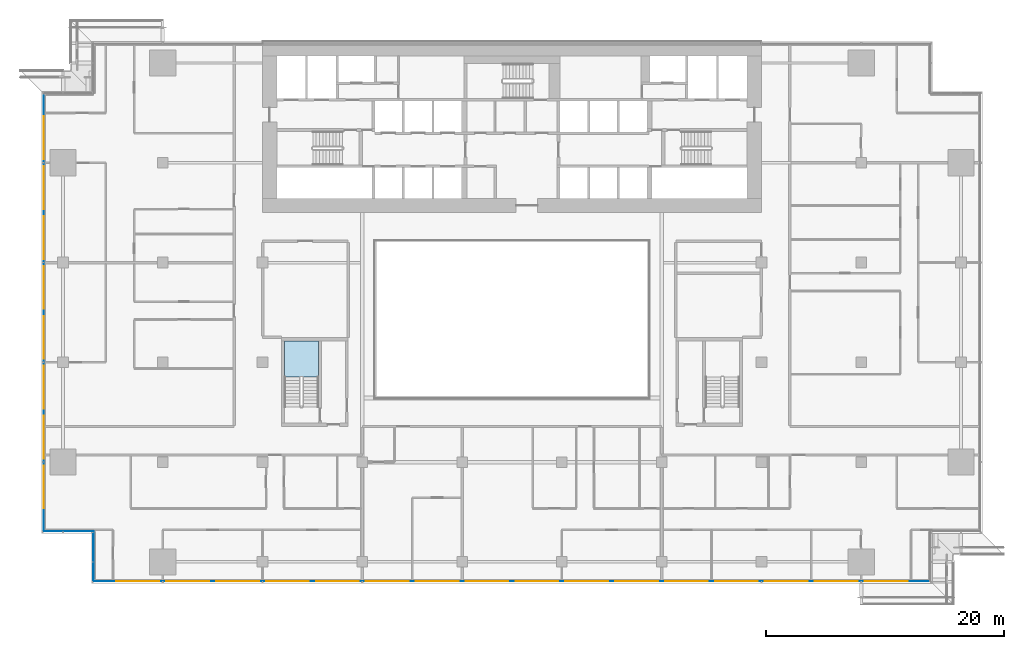
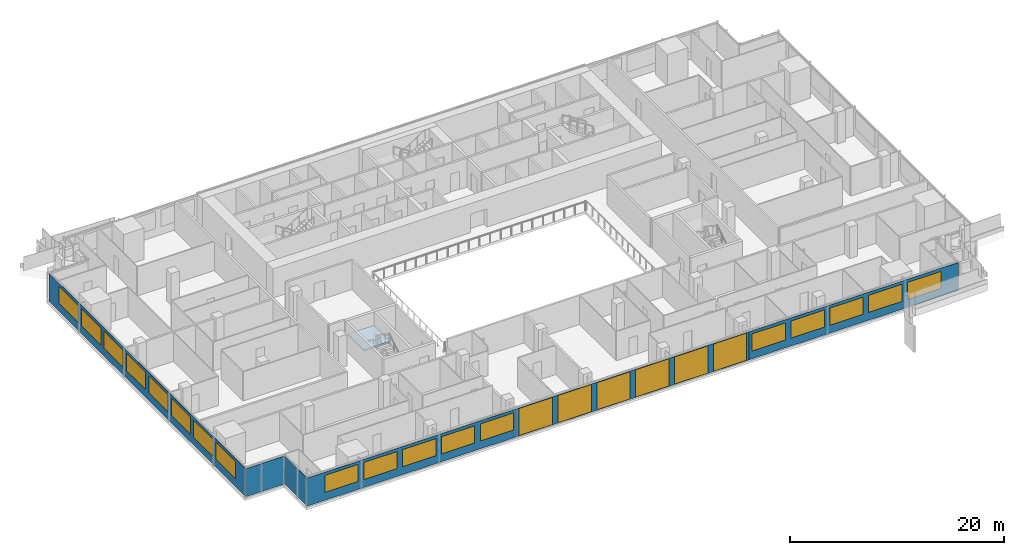
# One storey, part 16 of 30: 24 windows, 6 plates, 1 slab, 24 openings, 5 elements without a shape of their own.
"""IFC4 building model written with IfcOpenShell, lengths in metres."""

from ifc_helpers import new_model, si_unit, direction, frame, frame_2d, origin, place, context, subcontext, project, spatial, polyline, rectangle, outline, extrude, material, layer, layer_set, type_object, element, fill, aggregate, save


model = new_model("IFC4")

# Units and contexts
model_context = context("Model", 3, precision=1e-05, world=origin(), true_north=direction((0.0, 1.0)))
body_context = subcontext(model_context, "Body", "Model", "MODEL_VIEW")
ifc_project = project(units=[si_unit("LENGTHUNIT", "METRE"), si_unit("AREAUNIT", "SQUARE_METRE"), si_unit("VOLUMEUNIT", "CUBIC_METRE"), si_unit("PLANEANGLEUNIT", "RADIAN"), si_unit("MASSUNIT", "GRAM", prefix="KILO")], contexts=[model_context])

# Site, building, storey
site_placement = place(None, origin())
site = spatial("IfcSite", under=ifc_project, at=site_placement, CompositionType="ELEMENT")
building_placement = place(site_placement, origin())
building = spatial("IfcBuilding", under=site, at=building_placement, Name="Saffron Gate Tower", CompositionType="ELEMENT")
storey_placement = place(building_placement, frame((0.0, 0.0, 69.60009765625)))
storey = spatial("IfcBuildingStorey", under=building, at=storey_placement, Name="L16", CompositionType="ELEMENT", Elevation=69.60009765625)

# Curtain wall, plates, openings, windows
ifc_material_1 = material(Name="Aluminium, bronze anodised", Category="aluminium")
curtain_wall_type_1 = type_object("IfcCurtainWallType", Name="CWS1 curtain wall front facade", PredefinedType="NOTDEFINED", material=ifc_material_1)
curtain_wall_1_placement = place(storey_placement, origin())
curtain_wall_1 = element("IfcCurtainWall", 1, at=curtain_wall_1_placement, inside=storey, type_object=curtain_wall_type_1, Name="CWS1 run 1", PredefinedType="NOTDEFINED")
ifc_material_2 = material(Name="Clear low-iron laminated glass", Category="glass")
ifc_layer_1 = layer(ifc_material_2, 0.028076171875)
ifc_layer_set_1 = layer_set([ifc_layer_1], Name="CWS1 clear glass")
plate_type_1 = type_object("IfcPlateType", Name="CWS1 clear glass", PredefinedType="CURTAIN_PANEL", material=ifc_layer_set_1)
plate_1_placement = place(storey_placement, frame((75.030029296875, 30.174072265625, 0.0), z_axis=(0.0, 0.0, 1.0), x_axis=(1.0, 0.0, 0.0)))
plate_1 = element("IfcPlate", 2, at=plate_1_placement, type_object=plate_type_1, Name="CWS1 clear glass panel", PredefinedType="CURTAIN_PANEL", context=body_context, shape_type="SweptSolid", body=[
    extrude(rectangle(XDim=25.139892578125, YDim=0.028076171875, at=frame_2d((12.56982421875, 0.0))), origin(), (0.0, 0.0, 1.0), 3.199951171875),
])
opening_1_placement = place(plate_1_placement, frame((0.27001953125, 0.0, 0.050048828125)))
opening_1 = element("IfcOpeningElement", 3, at=opening_1_placement, cuts=plate_1, Name="Opening WA", PredefinedType="OPENING", context=body_context, shape_type="SweptSolid", body=[
    extrude(rectangle(XDim=3.60009765625, YDim=3.10009765625, at=frame_2d((1.800048828125, 1.550048828125))), frame((0.0, 0.02392578125, 0.0), z_axis=(0.0, -1.0, 0.0), x_axis=(1.0, 0.0, 0.0)), (0.0, 0.0, 1.0), 0.048095703125),
])
opening_2_placement = place(plate_1_placement, frame((4.469970703125, 0.0, 0.050048828125)))
opening_2 = element("IfcOpeningElement", 4, at=opening_2_placement, cuts=plate_1, Name="Opening WA", PredefinedType="OPENING", context=body_context, shape_type="SweptSolid", body=[
    extrude(rectangle(XDim=3.60009765625, YDim=3.10009765625, at=frame_2d((1.800048828125, 1.550048828125))), frame((0.0, 0.02392578125, 0.0), z_axis=(0.0, -1.0, 0.0), x_axis=(1.0, 0.0, 0.0)), (0.0, 0.0, 1.0), 0.048095703125),
])
opening_3_placement = place(plate_1_placement, frame((8.669921875, 0.0, 0.050048828125)))
opening_3 = element("IfcOpeningElement", 5, at=opening_3_placement, cuts=plate_1, Name="Opening WA", PredefinedType="OPENING", context=body_context, shape_type="SweptSolid", body=[
    extrude(rectangle(XDim=3.60009765625, YDim=3.10009765625, at=frame_2d((1.800048828125, 1.550048828125))), frame((0.0, 0.02392578125, 0.0), z_axis=(0.0, -1.0, 0.0), x_axis=(1.0, 0.0, 0.0)), (0.0, 0.0, 1.0), 0.048095703125),
])
opening_4_placement = place(plate_1_placement, frame((12.8701171875, 0.0, 0.050048828125)))
opening_4 = element("IfcOpeningElement", 6, at=opening_4_placement, cuts=plate_1, Name="Opening WA", PredefinedType="OPENING", context=body_context, shape_type="SweptSolid", body=[
    extrude(rectangle(XDim=3.60009765625, YDim=3.10009765625, at=frame_2d((1.800048828125, 1.550048828125))), frame((0.0, 0.02392578125, 0.0), z_axis=(0.0, -1.0, 0.0), x_axis=(1.0, 0.0, 0.0)), (0.0, 0.0, 1.0), 0.048095703125),
])
opening_5_placement = place(plate_1_placement, frame((17.070068359375, 0.0, 0.050048828125)))
opening_5 = element("IfcOpeningElement", 7, at=opening_5_placement, cuts=plate_1, Name="Opening WA", PredefinedType="OPENING", context=body_context, shape_type="SweptSolid", body=[
    extrude(rectangle(XDim=3.60009765625, YDim=3.10009765625, at=frame_2d((1.800048828125, 1.550048828125))), frame((0.0, 0.02392578125, 0.0), z_axis=(0.0, -1.0, 0.0), x_axis=(1.0, 0.0, 0.0)), (0.0, 0.0, 1.0), 0.048095703125),
])
opening_6_placement = place(plate_1_placement, frame((21.27001953125, 0.0, 0.050048828125)))
opening_6 = element("IfcOpeningElement", 8, at=opening_6_placement, cuts=plate_1, Name="Opening WA", PredefinedType="OPENING", context=body_context, shape_type="SweptSolid", body=[
    extrude(rectangle(XDim=3.60009765625, YDim=3.10009765625, at=frame_2d((1.800048828125, 1.550048828125))), frame((0.0, 0.02392578125, 0.0), z_axis=(0.0, -1.0, 0.0), x_axis=(1.0, 0.0, 0.0)), (0.0, 0.0, 1.0), 0.048095703125),
])
ifc_material_3 = material(Name="Clear low-iron laminated glass in bronze frame", Category="glass")
ifc_layer_2 = layer(ifc_material_3, 0.06005859375)
ifc_layer_set_2 = layer_set([ifc_layer_2], Name="WA operable atrium unit 3600x3100")
window_type_1 = type_object("IfcWindowType", Name="WA operable atrium unit 3600x3100", PartitioningType="DOUBLE_PANEL_HORIZONTAL", PredefinedType="WINDOW", material=ifc_layer_set_2)
window_1_placement = place(opening_1_placement, origin())
window_1 = element("IfcWindow", 9, at=window_1_placement, type_object=window_type_1, Name="WA operable atrium unit", OverallHeight=3.10009765625, OverallWidth=3.60009765625, PartitioningType="SINGLE_PANEL", PredefinedType="WINDOW", context=body_context, shape_type="SweptSolid", body=[
    extrude(rectangle(XDim=3.60009765625, YDim=3.10009765625, at=frame_2d((1.800048828125, 1.550048828125))), frame((0.0, 0.013671875, 0.0), z_axis=(0.0, -1.0, 0.0), x_axis=(1.0, 0.0, 0.0)), (0.0, 0.0, 1.0), 0.027587890625),
])
fill(opening_1, window_1)
window_2_placement = place(opening_2_placement, origin())
window_2 = element("IfcWindow", 10, at=window_2_placement, type_object=window_type_1, Name="WA operable atrium unit", OverallHeight=3.10009765625, OverallWidth=3.60009765625, PartitioningType="SINGLE_PANEL", PredefinedType="WINDOW", context=body_context, shape_type="SweptSolid", body=[
    extrude(rectangle(XDim=3.60009765625, YDim=3.10009765625, at=frame_2d((1.800048828125, 1.550048828125))), frame((0.0, 0.013671875, 0.0), z_axis=(0.0, -1.0, 0.0), x_axis=(1.0, 0.0, 0.0)), (0.0, 0.0, 1.0), 0.027587890625),
])
fill(opening_2, window_2)
window_3_placement = place(opening_3_placement, origin())
window_3 = element("IfcWindow", 11, at=window_3_placement, type_object=window_type_1, Name="WA operable atrium unit", OverallHeight=3.10009765625, OverallWidth=3.60009765625, PartitioningType="SINGLE_PANEL", PredefinedType="WINDOW", context=body_context, shape_type="SweptSolid", body=[
    extrude(rectangle(XDim=3.60009765625, YDim=3.10009765625, at=frame_2d((1.800048828125, 1.550048828125))), frame((0.0, 0.013671875, 0.0), z_axis=(0.0, -1.0, 0.0), x_axis=(1.0, 0.0, 0.0)), (0.0, 0.0, 1.0), 0.027587890625),
])
fill(opening_3, window_3)
window_4_placement = place(opening_4_placement, origin())
window_4 = element("IfcWindow", 12, at=window_4_placement, type_object=window_type_1, Name="WA operable atrium unit", OverallHeight=3.10009765625, OverallWidth=3.60009765625, PartitioningType="SINGLE_PANEL", PredefinedType="WINDOW", context=body_context, shape_type="SweptSolid", body=[
    extrude(rectangle(XDim=3.60009765625, YDim=3.10009765625, at=frame_2d((1.800048828125, 1.550048828125))), frame((0.0, 0.013671875, 0.0), z_axis=(0.0, -1.0, 0.0), x_axis=(1.0, 0.0, 0.0)), (0.0, 0.0, 1.0), 0.027587890625),
])
fill(opening_4, window_4)
window_5_placement = place(opening_5_placement, origin())
window_5 = element("IfcWindow", 13, at=window_5_placement, type_object=window_type_1, Name="WA operable atrium unit", OverallHeight=3.10009765625, OverallWidth=3.60009765625, PartitioningType="SINGLE_PANEL", PredefinedType="WINDOW", context=body_context, shape_type="SweptSolid", body=[
    extrude(rectangle(XDim=3.60009765625, YDim=3.10009765625, at=frame_2d((1.800048828125, 1.550048828125))), frame((0.0, 0.013671875, 0.0), z_axis=(0.0, -1.0, 0.0), x_axis=(1.0, 0.0, 0.0)), (0.0, 0.0, 1.0), 0.027587890625),
])
fill(opening_5, window_5)
window_6_placement = place(opening_6_placement, origin())
window_6 = element("IfcWindow", 14, at=window_6_placement, type_object=window_type_1, Name="WA operable atrium unit", OverallHeight=3.10009765625, OverallWidth=3.60009765625, PartitioningType="SINGLE_PANEL", PredefinedType="WINDOW", context=body_context, shape_type="SweptSolid", body=[
    extrude(rectangle(XDim=3.60009765625, YDim=3.10009765625, at=frame_2d((1.800048828125, 1.550048828125))), frame((0.0, 0.013671875, 0.0), z_axis=(0.0, -1.0, 0.0), x_axis=(1.0, 0.0, 0.0)), (0.0, 0.0, 1.0), 0.027587890625),
])
fill(opening_6, window_6)
ifc_material_4 = material(Name="Fritted bronze-tinted laminated glass", Category="glass")
ifc_layer_3 = layer(ifc_material_4, 0.028076171875)
ifc_layer_set_3 = layer_set([ifc_layer_3], Name="CWS1 fixed glass")
plate_type_2 = type_object("IfcPlateType", Name="CWS1 fixed glass", PredefinedType="CURTAIN_PANEL", material=ifc_layer_set_3)
plate_2_placement = place(storey_placement, frame((52.387939453125, 30.174072265625, 0.0), z_axis=(0.0, 0.0, 1.0), x_axis=(1.0, 0.0, 0.0)))
plate_2 = element("IfcPlate", 15, at=plate_2_placement, type_object=plate_type_2, Name="CWS1 glass panel", PredefinedType="CURTAIN_PANEL", context=body_context, shape_type="SweptSolid", body=[
    extrude(rectangle(XDim=22.64208984375, YDim=0.028076171875, at=frame_2d((11.321044921875, 0.0))), origin(), (0.0, 0.0, 1.0), 3.199951171875),
])
opening_7_placement = place(plate_2_placement, frame((1.912109375, 0.0, 0.89990234375)))
opening_7 = element("IfcOpeningElement", 16, at=opening_7_placement, cuts=plate_2, Name="Opening W1", PredefinedType="OPENING", context=body_context, shape_type="SweptSolid", body=[
    extrude(rectangle(XDim=3.60009765625, YDim=1.949951171875, at=frame_2d((1.800048828125, 0.97509765625))), frame((0.0, 0.02392578125, 0.0), z_axis=(0.0, -1.0, 0.0), x_axis=(1.0, 0.0, 0.0)), (0.0, 0.0, 1.0), 0.048095703125),
])
opening_8_placement = place(plate_2_placement, frame((6.112060546875, 0.0, 0.89990234375)))
opening_8 = element("IfcOpeningElement", 17, at=opening_8_placement, cuts=plate_2, Name="Opening W1", PredefinedType="OPENING", context=body_context, shape_type="SweptSolid", body=[
    extrude(rectangle(XDim=3.60009765625, YDim=1.949951171875, at=frame_2d((1.800048828125, 0.97509765625))), frame((0.0, 0.02392578125, 0.0), z_axis=(0.0, -1.0, 0.0), x_axis=(1.0, 0.0, 0.0)), (0.0, 0.0, 1.0), 0.048095703125),
])
opening_9_placement = place(plate_2_placement, frame((10.31201171875, 0.0, 0.89990234375)))
opening_9 = element("IfcOpeningElement", 18, at=opening_9_placement, cuts=plate_2, Name="Opening W1", PredefinedType="OPENING", context=body_context, shape_type="SweptSolid", body=[
    extrude(rectangle(XDim=3.60009765625, YDim=1.949951171875, at=frame_2d((1.800048828125, 0.97509765625))), frame((0.0, 0.02392578125, 0.0), z_axis=(0.0, -1.0, 0.0), x_axis=(1.0, 0.0, 0.0)), (0.0, 0.0, 1.0), 0.048095703125),
])
opening_10_placement = place(plate_2_placement, frame((14.511962890625, 0.0, 0.89990234375)))
opening_10 = element("IfcOpeningElement", 19, at=opening_10_placement, cuts=plate_2, Name="Opening W1", PredefinedType="OPENING", context=body_context, shape_type="SweptSolid", body=[
    extrude(rectangle(XDim=3.60009765625, YDim=1.949951171875, at=frame_2d((1.800048828125, 0.97509765625))), frame((0.0, 0.02392578125, 0.0), z_axis=(0.0, -1.0, 0.0), x_axis=(1.0, 0.0, 0.0)), (0.0, 0.0, 1.0), 0.048095703125),
])
opening_11_placement = place(plate_2_placement, frame((18.7119140625, 0.0, 0.89990234375)))
opening_11 = element("IfcOpeningElement", 20, at=opening_11_placement, cuts=plate_2, Name="Opening W1", PredefinedType="OPENING", context=body_context, shape_type="SweptSolid", body=[
    extrude(rectangle(XDim=3.60009765625, YDim=1.949951171875, at=frame_2d((1.800048828125, 0.97509765625))), frame((0.0, 0.02392578125, 0.0), z_axis=(0.0, -1.0, 0.0), x_axis=(1.0, 0.0, 0.0)), (0.0, 0.0, 1.0), 0.048095703125),
])
ifc_material_5 = material(Name="Fritted bronze-tinted laminated glass in bronze frame", Category="glass")
ifc_layer_4 = layer(ifc_material_5, 0.06005859375)
ifc_layer_set_4 = layer_set([ifc_layer_4], Name="W1 operable panel 3600x1950")
window_type_2 = type_object("IfcWindowType", Name="W1 operable panel 3600x1950", PartitioningType="DOUBLE_PANEL_HORIZONTAL", PredefinedType="WINDOW", material=ifc_layer_set_4)
window_7_placement = place(opening_7_placement, origin())
window_7 = element("IfcWindow", 21, at=window_7_placement, type_object=window_type_2, Name="W1 operable panel", OverallHeight=1.949951171875, OverallWidth=3.60009765625, PartitioningType="SINGLE_PANEL", PredefinedType="WINDOW", context=body_context, shape_type="SweptSolid", body=[
    extrude(rectangle(XDim=3.60009765625, YDim=1.949951171875, at=frame_2d((1.800048828125, 0.97509765625))), frame((0.0, 0.013671875, 0.0), z_axis=(0.0, -1.0, 0.0), x_axis=(1.0, 0.0, 0.0)), (0.0, 0.0, 1.0), 0.027587890625),
])
fill(opening_7, window_7)
window_8_placement = place(opening_8_placement, origin())
window_8 = element("IfcWindow", 22, at=window_8_placement, type_object=window_type_2, Name="W1 operable panel", OverallHeight=1.949951171875, OverallWidth=3.60009765625, PartitioningType="SINGLE_PANEL", PredefinedType="WINDOW", context=body_context, shape_type="SweptSolid", body=[
    extrude(rectangle(XDim=3.60009765625, YDim=1.949951171875, at=frame_2d((1.800048828125, 0.97509765625))), frame((0.0, 0.013671875, 0.0), z_axis=(0.0, -1.0, 0.0), x_axis=(1.0, 0.0, 0.0)), (0.0, 0.0, 1.0), 0.027587890625),
])
fill(opening_8, window_8)
window_9_placement = place(opening_9_placement, origin())
window_9 = element("IfcWindow", 23, at=window_9_placement, type_object=window_type_2, Name="W1 operable panel", OverallHeight=1.949951171875, OverallWidth=3.60009765625, PartitioningType="SINGLE_PANEL", PredefinedType="WINDOW", context=body_context, shape_type="SweptSolid", body=[
    extrude(rectangle(XDim=3.60009765625, YDim=1.949951171875, at=frame_2d((1.800048828125, 0.97509765625))), frame((0.0, 0.013671875, 0.0), z_axis=(0.0, -1.0, 0.0), x_axis=(1.0, 0.0, 0.0)), (0.0, 0.0, 1.0), 0.027587890625),
])
fill(opening_9, window_9)
window_10_placement = place(opening_10_placement, origin())
window_10 = element("IfcWindow", 24, at=window_10_placement, type_object=window_type_2, Name="W1 operable panel", OverallHeight=1.949951171875, OverallWidth=3.60009765625, PartitioningType="SINGLE_PANEL", PredefinedType="WINDOW", context=body_context, shape_type="SweptSolid", body=[
    extrude(rectangle(XDim=3.60009765625, YDim=1.949951171875, at=frame_2d((1.800048828125, 0.97509765625))), frame((0.0, 0.013671875, 0.0), z_axis=(0.0, -1.0, 0.0), x_axis=(1.0, 0.0, 0.0)), (0.0, 0.0, 1.0), 0.027587890625),
])
fill(opening_10, window_10)
window_11_placement = place(opening_11_placement, origin())
window_11 = element("IfcWindow", 25, at=window_11_placement, type_object=window_type_2, Name="W1 operable panel", OverallHeight=1.949951171875, OverallWidth=3.60009765625, PartitioningType="SINGLE_PANEL", PredefinedType="WINDOW", context=body_context, shape_type="SweptSolid", body=[
    extrude(rectangle(XDim=3.60009765625, YDim=1.949951171875, at=frame_2d((1.800048828125, 0.97509765625))), frame((0.0, 0.013671875, 0.0), z_axis=(0.0, -1.0, 0.0), x_axis=(1.0, 0.0, 0.0)), (0.0, 0.0, 1.0), 0.027587890625),
])
fill(opening_11, window_11)
plate_3_placement = place(storey_placement, frame((100.169921875, 30.174072265625, 0.0), z_axis=(0.0, 0.0, 1.0), x_axis=(1.0, 0.0, 0.0)))
plate_3 = element("IfcPlate", 26, at=plate_3_placement, type_object=plate_type_2, Name="CWS1 glass panel", PredefinedType="CURTAIN_PANEL", context=body_context, shape_type="SweptSolid", body=[
    extrude(rectangle(XDim=22.64208984375, YDim=0.028076171875, at=frame_2d((11.321044921875, 0.0))), origin(), (0.0, 0.0, 1.0), 3.199951171875),
])
opening_12_placement = place(plate_3_placement, frame((0.330078125, 0.0, 0.89990234375)))
opening_12 = element("IfcOpeningElement", 27, at=opening_12_placement, cuts=plate_3, Name="Opening W1", PredefinedType="OPENING", context=body_context, shape_type="SweptSolid", body=[
    extrude(rectangle(XDim=3.60009765625, YDim=1.949951171875, at=frame_2d((1.800048828125, 0.97509765625))), frame((0.0, 0.02392578125, 0.0), z_axis=(0.0, -1.0, 0.0), x_axis=(1.0, 0.0, 0.0)), (0.0, 0.0, 1.0), 0.048095703125),
])
opening_13_placement = place(plate_3_placement, frame((4.530029296875, 0.0, 0.89990234375)))
opening_13 = element("IfcOpeningElement", 28, at=opening_13_placement, cuts=plate_3, Name="Opening W1", PredefinedType="OPENING", context=body_context, shape_type="SweptSolid", body=[
    extrude(rectangle(XDim=3.60009765625, YDim=1.949951171875, at=frame_2d((1.800048828125, 0.97509765625))), frame((0.0, 0.02392578125, 0.0), z_axis=(0.0, -1.0, 0.0), x_axis=(1.0, 0.0, 0.0)), (0.0, 0.0, 1.0), 0.048095703125),
])
opening_14_placement = place(plate_3_placement, frame((8.72998046875, 0.0, 0.89990234375)))
opening_14 = element("IfcOpeningElement", 29, at=opening_14_placement, cuts=plate_3, Name="Opening W1", PredefinedType="OPENING", context=body_context, shape_type="SweptSolid", body=[
    extrude(rectangle(XDim=3.60009765625, YDim=1.949951171875, at=frame_2d((1.800048828125, 0.97509765625))), frame((0.0, 0.02392578125, 0.0), z_axis=(0.0, -1.0, 0.0), x_axis=(1.0, 0.0, 0.0)), (0.0, 0.0, 1.0), 0.048095703125),
])
opening_15_placement = place(plate_3_placement, frame((12.929931640625, 0.0, 0.89990234375)))
opening_15 = element("IfcOpeningElement", 30, at=opening_15_placement, cuts=plate_3, Name="Opening W1", PredefinedType="OPENING", context=body_context, shape_type="SweptSolid", body=[
    extrude(rectangle(XDim=3.60009765625, YDim=1.949951171875, at=frame_2d((1.800048828125, 0.97509765625))), frame((0.0, 0.02392578125, 0.0), z_axis=(0.0, -1.0, 0.0), x_axis=(1.0, 0.0, 0.0)), (0.0, 0.0, 1.0), 0.048095703125),
])
opening_16_placement = place(plate_3_placement, frame((17.1298828125, 0.0, 0.89990234375)))
opening_16 = element("IfcOpeningElement", 31, at=opening_16_placement, cuts=plate_3, Name="Opening W1", PredefinedType="OPENING", context=body_context, shape_type="SweptSolid", body=[
    extrude(rectangle(XDim=3.60009765625, YDim=1.949951171875, at=frame_2d((1.800048828125, 0.97509765625))), frame((0.0, 0.02392578125, 0.0), z_axis=(0.0, -1.0, 0.0), x_axis=(1.0, 0.0, 0.0)), (0.0, 0.0, 1.0), 0.048095703125),
])
window_12_placement = place(opening_12_placement, origin())
window_12 = element("IfcWindow", 32, at=window_12_placement, type_object=window_type_2, Name="W1 operable panel", OverallHeight=1.949951171875, OverallWidth=3.60009765625, PartitioningType="SINGLE_PANEL", PredefinedType="WINDOW", context=body_context, shape_type="SweptSolid", body=[
    extrude(rectangle(XDim=3.60009765625, YDim=1.949951171875, at=frame_2d((1.800048828125, 0.97509765625))), frame((0.0, 0.013671875, 0.0), z_axis=(0.0, -1.0, 0.0), x_axis=(1.0, 0.0, 0.0)), (0.0, 0.0, 1.0), 0.027587890625),
])
fill(opening_12, window_12)
window_13_placement = place(opening_13_placement, origin())
window_13 = element("IfcWindow", 33, at=window_13_placement, type_object=window_type_2, Name="W1 operable panel", OverallHeight=1.949951171875, OverallWidth=3.60009765625, PartitioningType="SINGLE_PANEL", PredefinedType="WINDOW", context=body_context, shape_type="SweptSolid", body=[
    extrude(rectangle(XDim=3.60009765625, YDim=1.949951171875, at=frame_2d((1.800048828125, 0.97509765625))), frame((0.0, 0.013671875, 0.0), z_axis=(0.0, -1.0, 0.0), x_axis=(1.0, 0.0, 0.0)), (0.0, 0.0, 1.0), 0.027587890625),
])
fill(opening_13, window_13)
window_14_placement = place(opening_14_placement, origin())
window_14 = element("IfcWindow", 34, at=window_14_placement, type_object=window_type_2, Name="W1 operable panel", OverallHeight=1.949951171875, OverallWidth=3.60009765625, PartitioningType="SINGLE_PANEL", PredefinedType="WINDOW", context=body_context, shape_type="SweptSolid", body=[
    extrude(rectangle(XDim=3.60009765625, YDim=1.949951171875, at=frame_2d((1.800048828125, 0.97509765625))), frame((0.0, 0.013671875, 0.0), z_axis=(0.0, -1.0, 0.0), x_axis=(1.0, 0.0, 0.0)), (0.0, 0.0, 1.0), 0.027587890625),
])
fill(opening_14, window_14)
window_15_placement = place(opening_15_placement, origin())
window_15 = element("IfcWindow", 35, at=window_15_placement, type_object=window_type_2, Name="W1 operable panel", OverallHeight=1.949951171875, OverallWidth=3.60009765625, PartitioningType="SINGLE_PANEL", PredefinedType="WINDOW", context=body_context, shape_type="SweptSolid", body=[
    extrude(rectangle(XDim=3.60009765625, YDim=1.949951171875, at=frame_2d((1.800048828125, 0.97509765625))), frame((0.0, 0.013671875, 0.0), z_axis=(0.0, -1.0, 0.0), x_axis=(1.0, 0.0, 0.0)), (0.0, 0.0, 1.0), 0.027587890625),
])
fill(opening_15, window_15)
window_16_placement = place(opening_16_placement, origin())
window_16 = element("IfcWindow", 36, at=window_16_placement, type_object=window_type_2, Name="W1 operable panel", OverallHeight=1.949951171875, OverallWidth=3.60009765625, PartitioningType="SINGLE_PANEL", PredefinedType="WINDOW", context=body_context, shape_type="SweptSolid", body=[
    extrude(rectangle(XDim=3.60009765625, YDim=1.949951171875, at=frame_2d((1.800048828125, 0.97509765625))), frame((0.0, 0.013671875, 0.0), z_axis=(0.0, -1.0, 0.0), x_axis=(1.0, 0.0, 0.0)), (0.0, 0.0, 1.0), 0.027587890625),
])
fill(opening_16, window_16)
aggregate(curtain_wall_1, [plate_2, plate_3, plate_1, window_7, window_8, window_9, window_10, window_11, window_12, window_13, window_14, window_15, window_16, window_1, window_2, window_3, window_4, window_5, window_6])

# Curtain wall, plate, openings, windows
curtain_wall_type_2 = type_object("IfcCurtainWallType", Name="CWS2 curtain wall side facades", PredefinedType="NOTDEFINED", material=ifc_material_1)
curtain_wall_2_placement = place(storey_placement, origin())
curtain_wall_2 = element("IfcCurtainWall", 37, at=curtain_wall_2_placement, inside=storey, type_object=curtain_wall_type_2, Name="CWS2 run 10", PredefinedType="NOTDEFINED")
ifc_layer_5 = layer(ifc_material_4, 0.028076171875)
ifc_layer_set_5 = layer_set([ifc_layer_5], Name="CWS2 fixed glass")
plate_type_3 = type_object("IfcPlateType", Name="CWS2 fixed glass", PredefinedType="CURTAIN_PANEL", material=ifc_layer_set_5)
plate_4_placement = place(storey_placement, frame((48.174072265625, 71.2119140625, 0.0), z_axis=(0.0, 0.0, 1.0), x_axis=(0.0, -1.0, 0.0)))
plate_4 = element("IfcPlate", 38, at=plate_4_placement, type_object=plate_type_3, Name="CWS2 glass panel", PredefinedType="CURTAIN_PANEL", context=body_context, shape_type="SweptSolid", body=[
    extrude(rectangle(XDim=36.823974609375, YDim=0.028076171875, at=frame_2d((18.412109375, 0.0))), origin(), (0.0, 0.0, 1.0), 3.199951171875),
])
opening_17_placement = place(plate_4_placement, frame((1.912109375, 0.0, 0.89990234375)))
opening_17 = element("IfcOpeningElement", 39, at=opening_17_placement, cuts=plate_4, Name="Opening W1", PredefinedType="OPENING", context=body_context, shape_type="SweptSolid", body=[
    extrude(rectangle(XDim=3.60009765625, YDim=1.949951171875, at=frame_2d((1.800048828125, 0.97509765625))), frame((0.0, 0.02392578125, 0.0), z_axis=(0.0, -1.0, 0.0), x_axis=(1.0, 0.0, 0.0)), (0.0, 0.0, 1.0), 0.048095703125),
])
opening_18_placement = place(plate_4_placement, frame((6.112060546875, 0.0, 0.89990234375)))
opening_18 = element("IfcOpeningElement", 40, at=opening_18_placement, cuts=plate_4, Name="Opening W1", PredefinedType="OPENING", context=body_context, shape_type="SweptSolid", body=[
    extrude(rectangle(XDim=3.60009765625, YDim=1.949951171875, at=frame_2d((1.800048828125, 0.97509765625))), frame((0.0, 0.02392578125, 0.0), z_axis=(0.0, -1.0, 0.0), x_axis=(1.0, 0.0, 0.0)), (0.0, 0.0, 1.0), 0.048095703125),
])
opening_19_placement = place(plate_4_placement, frame((10.31201171875, 0.0, 0.89990234375)))
opening_19 = element("IfcOpeningElement", 41, at=opening_19_placement, cuts=plate_4, Name="Opening W1", PredefinedType="OPENING", context=body_context, shape_type="SweptSolid", body=[
    extrude(rectangle(XDim=3.60009765625, YDim=1.949951171875, at=frame_2d((1.800048828125, 0.97509765625))), frame((0.0, 0.02392578125, 0.0), z_axis=(0.0, -1.0, 0.0), x_axis=(1.0, 0.0, 0.0)), (0.0, 0.0, 1.0), 0.048095703125),
])
opening_20_placement = place(plate_4_placement, frame((14.511962890625, 0.0, 0.89990234375)))
opening_20 = element("IfcOpeningElement", 42, at=opening_20_placement, cuts=plate_4, Name="Opening W1", PredefinedType="OPENING", context=body_context, shape_type="SweptSolid", body=[
    extrude(rectangle(XDim=3.60009765625, YDim=1.949951171875, at=frame_2d((1.800048828125, 0.97509765625))), frame((0.0, 0.02392578125, 0.0), z_axis=(0.0, -1.0, 0.0), x_axis=(1.0, 0.0, 0.0)), (0.0, 0.0, 1.0), 0.048095703125),
])
opening_21_placement = place(plate_4_placement, frame((18.7119140625, 0.0, 0.89990234375)))
opening_21 = element("IfcOpeningElement", 43, at=opening_21_placement, cuts=plate_4, Name="Opening W1", PredefinedType="OPENING", context=body_context, shape_type="SweptSolid", body=[
    extrude(rectangle(XDim=3.60009765625, YDim=1.949951171875, at=frame_2d((1.800048828125, 0.97509765625))), frame((0.0, 0.02392578125, 0.0), z_axis=(0.0, -1.0, 0.0), x_axis=(1.0, 0.0, 0.0)), (0.0, 0.0, 1.0), 0.048095703125),
])
opening_22_placement = place(plate_4_placement, frame((22.912109375, 0.0, 0.89990234375)))
opening_22 = element("IfcOpeningElement", 44, at=opening_22_placement, cuts=plate_4, Name="Opening W1", PredefinedType="OPENING", context=body_context, shape_type="SweptSolid", body=[
    extrude(rectangle(XDim=3.60009765625, YDim=1.949951171875, at=frame_2d((1.800048828125, 0.97509765625))), frame((0.0, 0.02392578125, 0.0), z_axis=(0.0, -1.0, 0.0), x_axis=(1.0, 0.0, 0.0)), (0.0, 0.0, 1.0), 0.048095703125),
])
opening_23_placement = place(plate_4_placement, frame((27.112060546875, 0.0, 0.89990234375)))
opening_23 = element("IfcOpeningElement", 45, at=opening_23_placement, cuts=plate_4, Name="Opening W1", PredefinedType="OPENING", context=body_context, shape_type="SweptSolid", body=[
    extrude(rectangle(XDim=3.60009765625, YDim=1.949951171875, at=frame_2d((1.800048828125, 0.97509765625))), frame((0.0, 0.02392578125, 0.0), z_axis=(0.0, -1.0, 0.0), x_axis=(1.0, 0.0, 0.0)), (0.0, 0.0, 1.0), 0.048095703125),
])
opening_24_placement = place(plate_4_placement, frame((31.31201171875, 0.0, 0.89990234375)))
opening_24 = element("IfcOpeningElement", 46, at=opening_24_placement, cuts=plate_4, Name="Opening W1", PredefinedType="OPENING", context=body_context, shape_type="SweptSolid", body=[
    extrude(rectangle(XDim=3.60009765625, YDim=1.949951171875, at=frame_2d((1.800048828125, 0.97509765625))), frame((0.0, 0.02392578125, 0.0), z_axis=(0.0, -1.0, 0.0), x_axis=(1.0, 0.0, 0.0)), (0.0, 0.0, 1.0), 0.048095703125),
])
window_17_placement = place(opening_17_placement, origin())
window_17 = element("IfcWindow", 47, at=window_17_placement, type_object=window_type_2, Name="W1 operable panel", OverallHeight=1.949951171875, OverallWidth=3.60009765625, PartitioningType="SINGLE_PANEL", PredefinedType="WINDOW", context=body_context, shape_type="SweptSolid", body=[
    extrude(rectangle(XDim=3.60009765625, YDim=1.949951171875, at=frame_2d((1.800048828125, 0.97509765625))), frame((0.0, 0.013671875, 0.0), z_axis=(0.0, -1.0, 0.0), x_axis=(1.0, 0.0, 0.0)), (0.0, 0.0, 1.0), 0.027587890625),
])
fill(opening_17, window_17)
window_18_placement = place(opening_18_placement, origin())
window_18 = element("IfcWindow", 48, at=window_18_placement, type_object=window_type_2, Name="W1 operable panel", OverallHeight=1.949951171875, OverallWidth=3.60009765625, PartitioningType="SINGLE_PANEL", PredefinedType="WINDOW", context=body_context, shape_type="SweptSolid", body=[
    extrude(rectangle(XDim=3.60009765625, YDim=1.949951171875, at=frame_2d((1.800048828125, 0.97509765625))), frame((0.0, 0.013671875, 0.0), z_axis=(0.0, -1.0, 0.0), x_axis=(1.0, 0.0, 0.0)), (0.0, 0.0, 1.0), 0.027587890625),
])
fill(opening_18, window_18)
window_19_placement = place(opening_19_placement, origin())
window_19 = element("IfcWindow", 49, at=window_19_placement, type_object=window_type_2, Name="W1 operable panel", OverallHeight=1.949951171875, OverallWidth=3.60009765625, PartitioningType="SINGLE_PANEL", PredefinedType="WINDOW", context=body_context, shape_type="SweptSolid", body=[
    extrude(rectangle(XDim=3.60009765625, YDim=1.949951171875, at=frame_2d((1.800048828125, 0.97509765625))), frame((0.0, 0.013671875, 0.0), z_axis=(0.0, -1.0, 0.0), x_axis=(1.0, 0.0, 0.0)), (0.0, 0.0, 1.0), 0.027587890625),
])
fill(opening_19, window_19)
window_20_placement = place(opening_20_placement, origin())
window_20 = element("IfcWindow", 50, at=window_20_placement, type_object=window_type_2, Name="W1 operable panel", OverallHeight=1.949951171875, OverallWidth=3.60009765625, PartitioningType="SINGLE_PANEL", PredefinedType="WINDOW", context=body_context, shape_type="SweptSolid", body=[
    extrude(rectangle(XDim=3.60009765625, YDim=1.949951171875, at=frame_2d((1.800048828125, 0.97509765625))), frame((0.0, 0.013671875, 0.0), z_axis=(0.0, -1.0, 0.0), x_axis=(1.0, 0.0, 0.0)), (0.0, 0.0, 1.0), 0.027587890625),
])
fill(opening_20, window_20)
window_21_placement = place(opening_21_placement, origin())
window_21 = element("IfcWindow", 51, at=window_21_placement, type_object=window_type_2, Name="W1 operable panel", OverallHeight=1.949951171875, OverallWidth=3.60009765625, PartitioningType="SINGLE_PANEL", PredefinedType="WINDOW", context=body_context, shape_type="SweptSolid", body=[
    extrude(rectangle(XDim=3.60009765625, YDim=1.949951171875, at=frame_2d((1.800048828125, 0.97509765625))), frame((0.0, 0.013671875, 0.0), z_axis=(0.0, -1.0, 0.0), x_axis=(1.0, 0.0, 0.0)), (0.0, 0.0, 1.0), 0.027587890625),
])
fill(opening_21, window_21)
window_22_placement = place(opening_22_placement, origin())
window_22 = element("IfcWindow", 52, at=window_22_placement, type_object=window_type_2, Name="W1 operable panel", OverallHeight=1.949951171875, OverallWidth=3.60009765625, PartitioningType="SINGLE_PANEL", PredefinedType="WINDOW", context=body_context, shape_type="SweptSolid", body=[
    extrude(rectangle(XDim=3.60009765625, YDim=1.949951171875, at=frame_2d((1.800048828125, 0.97509765625))), frame((0.0, 0.013671875, 0.0), z_axis=(0.0, -1.0, 0.0), x_axis=(1.0, 0.0, 0.0)), (0.0, 0.0, 1.0), 0.027587890625),
])
fill(opening_22, window_22)
window_23_placement = place(opening_23_placement, origin())
window_23 = element("IfcWindow", 53, at=window_23_placement, type_object=window_type_2, Name="W1 operable panel", OverallHeight=1.949951171875, OverallWidth=3.60009765625, PartitioningType="SINGLE_PANEL", PredefinedType="WINDOW", context=body_context, shape_type="SweptSolid", body=[
    extrude(rectangle(XDim=3.60009765625, YDim=1.949951171875, at=frame_2d((1.800048828125, 0.97509765625))), frame((0.0, 0.013671875, 0.0), z_axis=(0.0, -1.0, 0.0), x_axis=(1.0, 0.0, 0.0)), (0.0, 0.0, 1.0), 0.027587890625),
])
fill(opening_23, window_23)
window_24_placement = place(opening_24_placement, origin())
window_24 = element("IfcWindow", 54, at=window_24_placement, type_object=window_type_2, Name="W1 operable panel", OverallHeight=1.949951171875, OverallWidth=3.60009765625, PartitioningType="SINGLE_PANEL", PredefinedType="WINDOW", context=body_context, shape_type="SweptSolid", body=[
    extrude(rectangle(XDim=3.60009765625, YDim=1.949951171875, at=frame_2d((1.800048828125, 0.97509765625))), frame((0.0, 0.013671875, 0.0), z_axis=(0.0, -1.0, 0.0), x_axis=(1.0, 0.0, 0.0)), (0.0, 0.0, 1.0), 0.027587890625),
])
fill(opening_24, window_24)
aggregate(curtain_wall_2, [plate_4, window_17, window_18, window_19, window_20, window_21, window_22, window_23, window_24])

# Curtain wall, plate
curtain_wall_type_3 = type_object("IfcCurtainWallType", Name="CWS4 curtain wall corner returns", PredefinedType="NOTDEFINED", material=ifc_material_1)
curtain_wall_3_placement = place(storey_placement, origin())
curtain_wall_3 = element("IfcCurtainWall", 55, at=curtain_wall_3_placement, inside=storey, type_object=curtain_wall_type_3, Name="CWS4 run 11", PredefinedType="NOTDEFINED")
ifc_layer_6 = layer(ifc_material_4, 0.028076171875)
ifc_layer_set_6 = layer_set([ifc_layer_6], Name="CWS4 fixed glass")
plate_type_4 = type_object("IfcPlateType", Name="CWS4 fixed glass", PredefinedType="CURTAIN_PANEL", material=ifc_layer_set_6)
plate_5_placement = place(storey_placement, frame((48.18798828125, 34.3740234375, 0.0), z_axis=(0.0, 0.0, 1.0), x_axis=(1.0, 0.0, 0.0)))
plate_5 = element("IfcPlate", 56, at=plate_5_placement, type_object=plate_type_4, Name="CWS4 glass panel", PredefinedType="CURTAIN_PANEL", context=body_context, shape_type="SweptSolid", body=[
    extrude(rectangle(XDim=4.172119140625, YDim=0.028076171875, at=frame_2d((2.0859375, 0.0))), origin(), (0.0, 0.0, 1.0), 3.199951171875),
])
aggregate(curtain_wall_3, [plate_5])

curtain_wall_4_placement = place(storey_placement, origin())
curtain_wall_4 = element("IfcCurtainWall", 57, at=curtain_wall_4_placement, inside=storey, type_object=curtain_wall_type_3, Name="CWS4 run 12", PredefinedType="NOTDEFINED")
plate_6_placement = place(storey_placement, frame((52.3740234375, 34.360107421875, 0.0), z_axis=(0.0, 0.0, 1.0), x_axis=(0.0, -1.0, 0.0)))
plate_6 = element("IfcPlate", 58, at=plate_6_placement, type_object=plate_type_4, Name="CWS4 glass panel", PredefinedType="CURTAIN_PANEL", context=body_context, shape_type="SweptSolid", body=[
    extrude(rectangle(XDim=4.172119140625, YDim=0.028076171875, at=frame_2d((2.0859375, 0.0))), origin(), (0.0, 0.0, 1.0), 3.199951171875),
])
aggregate(curtain_wall_4, [plate_6])

# Stair, slab
ifc_material_6 = material(Name="Concrete C40", Category="concrete")
stair_type = type_object("IfcStairType", Name="ST7 Stair 1350 wide, 20 risers of 180", PredefinedType="HALF_TURN_STAIR", material=ifc_material_6)
stair_placement = place(storey_placement, origin())
stair = element("IfcStair", 59, at=stair_placement, inside=storey, type_object=stair_type, Name="L16 Exit stair D", PredefinedType="HALF_TURN_STAIR")
ifc_layer_7 = layer(ifc_material_6, 0.199951171875)
ifc_layer_set_7 = layer_set([ifc_layer_7], Name="SL1 Stair landing 200")
slab_type = type_object("IfcSlabType", Name="SL1 Stair landing 200", PredefinedType="LANDING", material=ifc_layer_set_7)
slab_placement = place(storey_placement, frame((0.0, 0.0, 1.599853515625)))
slab = element("IfcSlab", 60, at=slab_placement, type_object=slab_type, Name="ST-D landing 1", PredefinedType="LANDING", context=body_context, shape_type="SweptSolid", body=[
    extrude(outline(polyline([(71.300048828125, 47.3701171875), (71.300048828125, 50.39990234375), (68.449951171875, 50.39990234375), (68.449951171875, 47.3701171875), (71.300048828125, 47.3701171875)])), origin(), (0.0, 0.0, 1.0), 0.199951171875),
])
aggregate(stair, [slab])

save(model, "model.ifc")
